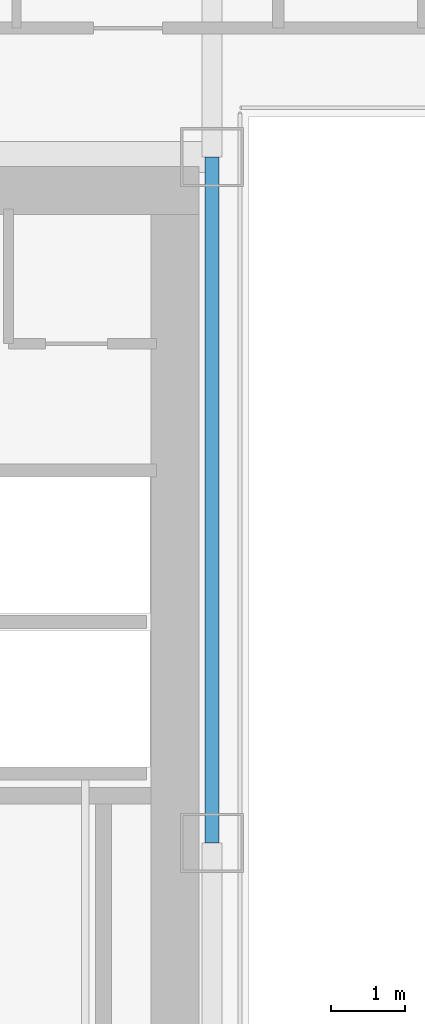
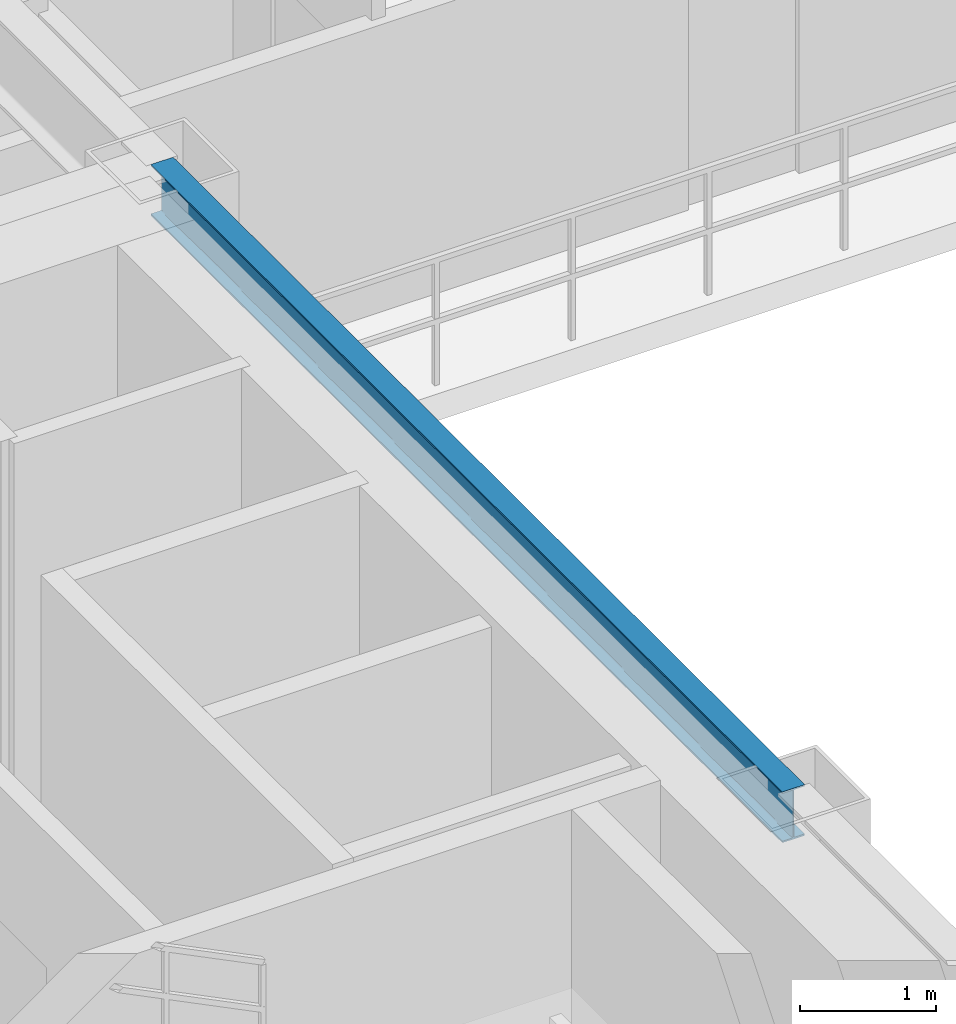
# One storey, part 9 of 36: 1 beam.
"""IFC4 building model written with IfcOpenShell, lengths in metres."""

import ifcopenshell
import ifcopenshell.guid

model = None  # the IFC model being written
_history = None  # IfcOwnerHistory: only IFC2X3 demands one
_inside = {}  # id of a spatial element -> (the spatial element, [elements in it])
_under = {}  # id of a project, library or spatial element -> (it, [spatial elements below it])
_declared = {}  # id of a project -> (the project, [libraries it declares])
_typed = {}  # id of a type object -> (the type object, [elements of that type])
_made_of = {}  # id of a material, layer set ... -> (it, [elements and type objects made of it])


def new_model(schema):
    """Start an empty IFC model of exactly this schema.

    Asked for "IFC4X3", IfcOpenShell would pick the latest addendum, in which some entities
    have other attributes; the version numbers below select the first issue.
    IFC2X3 requires an IfcOwnerHistory on every rooted entity: one is made here for all.
    """
    global model, _history
    if schema == "IFC4X3":
        model = ifcopenshell.file(schema_version=(4, 3, 0, 0))
    else:
        model = ifcopenshell.file(schema=schema)
    _inside.clear()
    _under.clear()
    _declared.clear()
    _typed.clear()
    _made_of.clear()
    _history = None
    if model.schema == "IFC2X3":
        org = make("IfcOrganization", Name="unknown")
        user = make(
            "IfcPersonAndOrganization",
            ThePerson=make("IfcPerson", FamilyName="unknown"),
            TheOrganization=org,
        )
        app = make(
            "IfcApplication",
            ApplicationDeveloper=org,
            Version="unknown",
            ApplicationFullName="unknown",
            ApplicationIdentifier="unknown",
        )
        _history = make(
            "IfcOwnerHistory",
            OwningUser=user,
            OwningApplication=app,
            ChangeAction="ADDED",
            CreationDate=0,
        )
    return model


def make(cls, **values):
    """One entity of the class cls with the attributes given. An attribute that is None is left unset."""
    return model.create_entity(
        cls, **{name: value for name, value in values.items() if value is not None}
    )


def rooted(cls, **values):
    """An entity with a GlobalId (a new one), such as an element, a storey or a relation."""
    return make(cls, GlobalId=ifcopenshell.guid.new(), OwnerHistory=_history, **values)


def si_unit(unit_type, name, prefix=None):
    """IfcSIUnit, for example si_unit("LENGTHUNIT", "METRE", prefix="MILLI")."""
    return make("IfcSIUnit", UnitType=unit_type, Prefix=prefix, Name=name)


def assignment(units):
    """IfcUnitAssignment: the units of a project."""
    return None if units is None else make("IfcUnitAssignment", Units=units)


def point(xyz):
    """IfcCartesianPoint."""
    return None if xyz is None else make("IfcCartesianPoint", Coordinates=xyz)


def direction(xyz):
    """IfcDirection."""
    return None if xyz is None else make("IfcDirection", DirectionRatios=xyz)


def frame(location, z_axis=None, x_axis=None):
    """IfcAxis2Placement3D, a coordinate frame: its origin and axes. An axis left out is left unset."""
    return make(
        "IfcAxis2Placement3D",
        Location=point(location),
        Axis=direction(z_axis),
        RefDirection=direction(x_axis),
    )


def frame_2d(location, x_axis=None):
    """IfcAxis2Placement2D, a coordinate frame in the plane: its origin and x axis."""
    return make(
        "IfcAxis2Placement2D", Location=point(location), RefDirection=direction(x_axis)
    )


def origin():
    """The frame at (0, 0, 0) with its axes left unset."""
    return frame((0.0, 0.0, 0.0))


def origin_2d():
    """The frame at (0, 0) in the plane with its x axis left unset."""
    return frame_2d((0.0, 0.0))


def place(relative_to, where):
    """IfcLocalPlacement: puts the frame where relative to a parent placement (None: the world)."""
    return make(
        "IfcLocalPlacement", PlacementRelTo=relative_to, RelativePlacement=where
    )


def context(
    kind, dimensions, precision=None, world=None, true_north=None, identifier=None
):
    """IfcGeometricRepresentationContext, for example the 3D "Model" context."""
    return make(
        "IfcGeometricRepresentationContext",
        ContextIdentifier=identifier,
        ContextType=kind,
        CoordinateSpaceDimension=dimensions,
        Precision=precision,
        WorldCoordinateSystem=world,
        TrueNorth=true_north,
    )


def subcontext(parent, identifier, kind, view, scale=None):
    """IfcGeometricRepresentationSubContext, for example "Body" below "Model"."""
    return make(
        "IfcGeometricRepresentationSubContext",
        ContextIdentifier=identifier,
        ContextType=kind,
        ParentContext=parent,
        TargetScale=scale,
        TargetView=view,
    )


def project(units=None, contexts=None):
    """IfcProject with its units and contexts."""
    return rooted(
        "IfcProject",
        Name="project",
        RepresentationContexts=contexts,
        UnitsInContext=assignment(units),
    )


def spatial(cls, under=None, at=None, **own):
    """A site, building, storey or space (cls), placed at a placement, below another one or the project."""
    s = rooted(cls, ObjectPlacement=at, **own)
    if under is not None:
        _under.setdefault(under.id(), (under, []))[1].append(s)
    return s


def profile(cls, at=None, kind="AREA", **sizes):
    """A parametric profile (cls). Its sizes go by their IFC names, for example OverallWidth=200.0."""
    return make(cls, ProfileType=kind, Position=at, **sizes)


def i_section(**sizes):
    """IfcIShapeProfileDef."""
    return profile("IfcIShapeProfileDef", **sizes)


def extrude(swept, where, along, depth):
    """IfcExtrudedAreaSolid: the profile swept, set in the frame where, extruded along a direction by depth."""
    return make(
        "IfcExtrudedAreaSolid",
        SweptArea=swept,
        Position=where,
        ExtrudedDirection=direction(along),
        Depth=depth,
    )


def shape(context_of_items, identifier, shape_type, items):
    """IfcShapeRepresentation: the items that make up one representation, for example the "Body"."""
    return make(
        "IfcShapeRepresentation",
        ContextOfItems=context_of_items,
        RepresentationIdentifier=identifier,
        RepresentationType=shape_type,
        Items=items,
    )


def source(mapping_origin, context_of_items, identifier, shape_type, items):
    """IfcRepresentationMap: a shape defined once, which mapped items show again and again."""
    return make(
        "IfcRepresentationMap",
        MappingOrigin=mapping_origin,
        MappedRepresentation=shape(context_of_items, identifier, shape_type, items),
    )


def transform(
    local_origin,
    x_axis=None,
    y_axis=None,
    z_axis=None,
    scale=None,
    scale2=None,
    scale3=None,
    uniform=True,
):
    """IfcCartesianTransformationOperator3D, or its non-uniform kind. x_axis, y_axis, z_axis: its Axis1, 2, 3."""
    if uniform:
        return make(
            "IfcCartesianTransformationOperator3D",
            Axis1=direction(x_axis),
            Axis2=direction(y_axis),
            LocalOrigin=point(local_origin),
            Scale=scale,
            Axis3=direction(z_axis),
        )
    return make(
        "IfcCartesianTransformationOperator3DnonUniform",
        Axis1=direction(x_axis),
        Axis2=direction(y_axis),
        LocalOrigin=point(local_origin),
        Scale=scale,
        Axis3=direction(z_axis),
        Scale2=scale2,
        Scale3=scale3,
    )


def mapped(mapping_source, mapping_target):
    """IfcMappedItem: shows the shape of a source again, moved by a transform."""
    return make(
        "IfcMappedItem", MappingSource=mapping_source, MappingTarget=mapping_target
    )


def material(Name=None, Category=None):
    """IfcMaterial."""
    return make("IfcMaterial", Name=Name, Category=Category)


def material_profile(
    of_material, cross_section, Name=None, Category=None, Priority=None
):
    """IfcMaterialProfile: a cross section and its material."""
    return make(
        "IfcMaterialProfile",
        Name=Name,
        Material=of_material,
        Profile=cross_section,
        Priority=Priority,
        Category=Category,
    )


def profile_set(profiles, Name=None, composite=None):
    """IfcMaterialProfileSet."""
    return make(
        "IfcMaterialProfileSet",
        Name=Name,
        MaterialProfiles=profiles,
        CompositeProfile=composite,
    )


def made_of(thing, what):
    """Note that an element or type object is made of a material, layer set ...; save() writes the relation."""
    if what is not None:
        _made_of.setdefault(what.id(), (what, []))[1].append(thing)
    return thing


def type_object(cls, material=None, **own):
    """A type object (cls), such as IfcWallType, which elements share."""
    return made_of(rooted(cls, **own), material)


def element(
    cls,
    number,
    at=None,
    inside=None,
    cuts=None,
    type_object=None,
    material=None,
    context=None,
    identifier="Body",
    shape_type=None,
    held_by="IfcProductDefinitionShape",
    body=None,
    shapes=None,
    **own,
):
    """One element of the class cls, such as IfcWall. Its Tag is "e" and its number.

    at: its placement. inside: the storey or other place that contains it. cuts: it is an
    opening in that element (IfcRelVoidsElement). A single representation is given by context,
    identifier, shape_type and body (its items); several are given by shapes. held_by: the class
    of the entity that holds the representations. save() writes the other relations.
    """
    e = rooted(cls, Tag="e%d" % number, ObjectPlacement=at, **own)
    if body is not None:
        shapes = [shape(context, identifier, shape_type, body)]
    if shapes is not None:
        e.Representation = make(held_by, Representations=shapes)
    if inside is not None:
        _inside.setdefault(inside.id(), (inside, []))[1].append(e)
    if cuts is not None:
        rooted(
            "IfcRelVoidsElement", RelatingBuildingElement=cuts, RelatedOpeningElement=e
        )
    if type_object is not None:
        _typed.setdefault(type_object.id(), (type_object, []))[1].append(e)
    return made_of(e, material)


def aggregate(whole, parts):
    """IfcRelAggregates: a whole, such as a stair, and the parts it consists of."""
    return rooted("IfcRelAggregates", RelatingObject=whole, RelatedObjects=parts)


def save(model, path):
    """Write the relations noted so far, then the file.

    IfcRelAggregates (storeys below a building ...), IfcRelContainedInSpatialStructure (elements
    in a storey), IfcRelDefinesByType, IfcRelAssociatesMaterial and IfcRelDeclares: one each for
    every whole, place, type object, material and project.
    """
    for whole, parts in _under.values():
        aggregate(whole, parts)
    for where, things in _inside.values():
        rooted(
            "IfcRelContainedInSpatialStructure",
            RelatedElements=things,
            RelatingStructure=where,
        )
    for kind, things in _typed.values():
        rooted("IfcRelDefinesByType", RelatedObjects=things, RelatingType=kind)
    for what, things in _made_of.values():
        rooted("IfcRelAssociatesMaterial", RelatedObjects=things, RelatingMaterial=what)
    for by, libraries in _declared.values():
        rooted("IfcRelDeclares", RelatingContext=by, RelatedDefinitions=libraries)
    model.write(path)


model = new_model("IFC4")

# Units and contexts
model_context = context("Model", 3, precision=1e-05, world=origin(), true_north=direction((0.0, 1.0)))
body_context = subcontext(model_context, "Body", "Model", "MODEL_VIEW")
ifc_project = project(units=[si_unit("LENGTHUNIT", "METRE"), si_unit("AREAUNIT", "SQUARE_METRE"), si_unit("VOLUMEUNIT", "CUBIC_METRE"), si_unit("PLANEANGLEUNIT", "RADIAN"), si_unit("MASSUNIT", "GRAM", prefix="KILO")], contexts=[model_context])

# Site, building, storey
site_placement = place(None, origin())
site = spatial("IfcSite", under=ifc_project, at=site_placement, CompositionType="ELEMENT")
building_placement = place(site_placement, origin())
building = spatial("IfcBuilding", under=site, at=building_placement, Name="Ocotamira Hotel", CompositionType="ELEMENT")
storey_placement = place(building_placement, frame((0.0, 0.0, 97.199951171875)))
storey = spatial("IfcBuildingStorey", under=building, at=storey_placement, Name="L23", CompositionType="ELEMENT", Elevation=97.199951171875)

# Beam
ifc_material = material(Name="Steel ASTM A992 Grade 50", Category="steel")
ifc_material_profile = material_profile(ifc_material, i_section(OverallWidth=0.18994140625, OverallDepth=0.45703125, WebThickness=0.009033203125, FlangeThickness=0.014404296875, FilletRadius=0.010009765625, at=origin_2d()), Name="W18X50")
ifc_profile_set = profile_set([ifc_material_profile], Name="Steel ASTM A992 Grade 50")
beam_type = type_object("IfcBeamType", Name="BM-SEC-W18X50", PredefinedType="JOIST", material=ifc_profile_set)
shared_shape = source(origin(), body_context, "Body", "SweptSolid", [
    extrude(i_section(OverallWidth=0.18994140625, OverallDepth=0.45703125, WebThickness=0.009033203125, FlangeThickness=0.014404296875, FilletRadius=0.010009765625, at=origin_2d()), origin(), (0.0, 0.0, 1.0), 9.300048828125),
])
beam_placement = place(storey_placement, frame((23.5, 28.14990234375, 3.131591796875), z_axis=(0.0, 1.0, 0.0), x_axis=(-1.0, 0.0, 0.0)))
element("IfcBeam", 1, at=beam_placement, inside=storey, type_object=beam_type, Name="L23 Beam X23.5 Y28.15-37.45", PredefinedType="JOIST", context=body_context, shape_type="MappedRepresentation", body=[
    mapped(shared_shape, transform((0.0, 0.0, 0.0), scale=1.0)),
])

save(model, "model.ifc")
